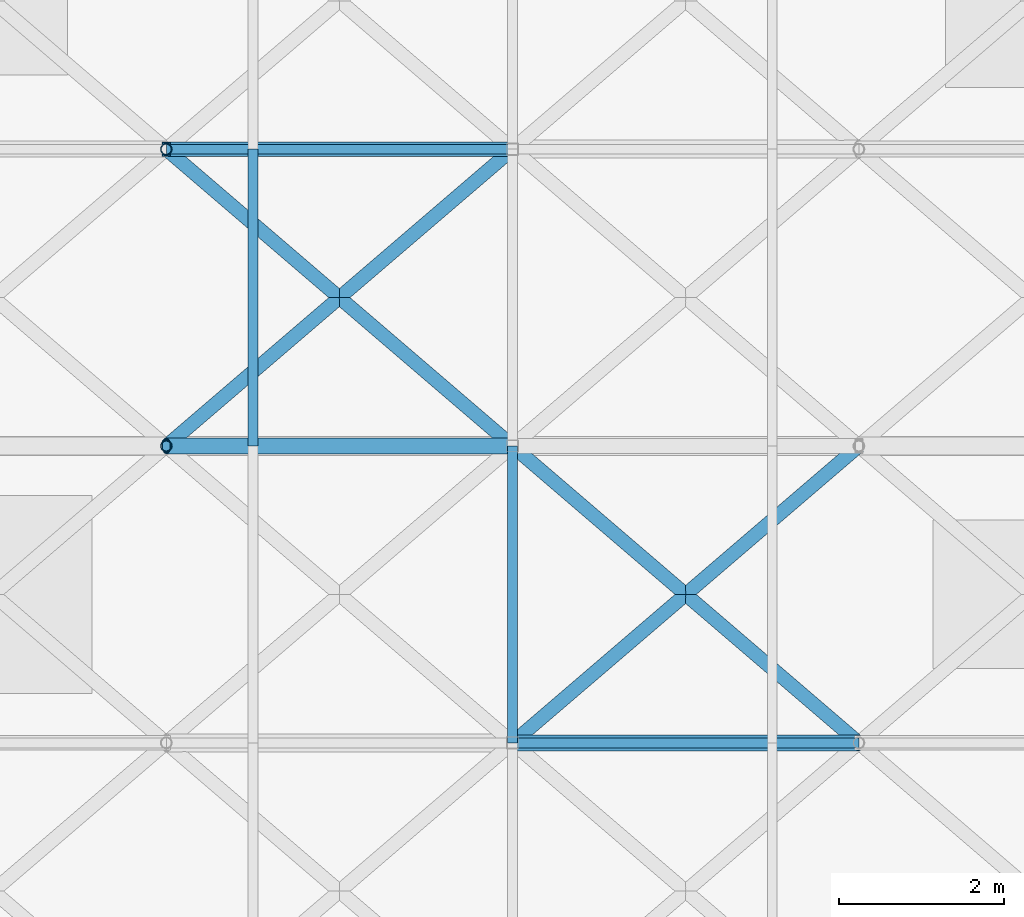
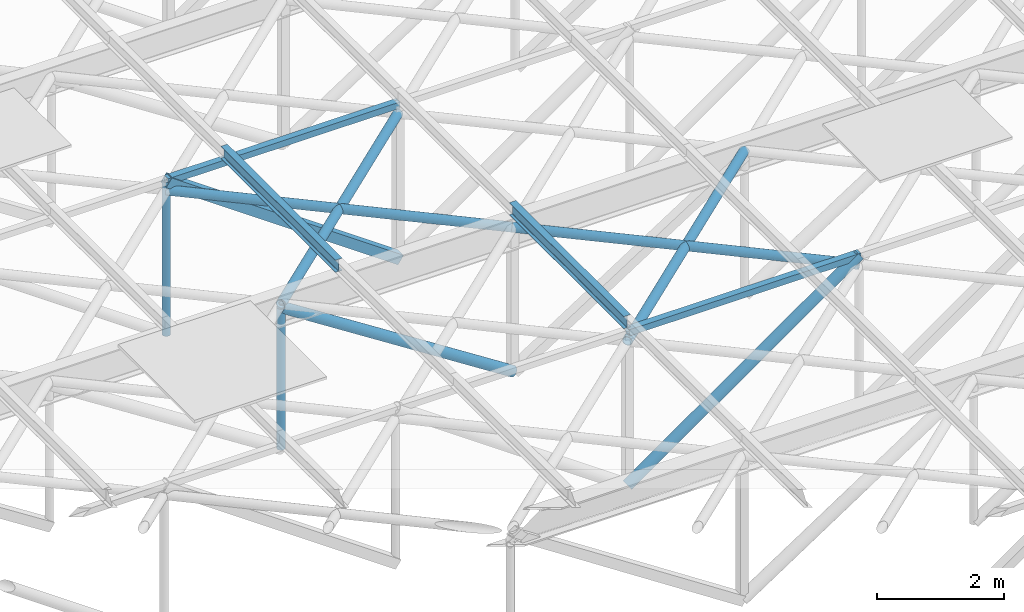
# One storey, part 19 of 45: 13 members.
"""IFC4 building model written with IfcOpenShell, lengths in metres."""

from ifc_helpers import new_model, si_unit, derived_unit, direction, frame, origin, origin_2d, place, context, subcontext, project, spatial, hollow_rectangle, hollow_circle, i_section, extrude, material, material_profile, profile_set, type_object, element, save


model = new_model("IFC4")

# Units and contexts
model_context = context("Model", 3, precision=1e-05, world=origin(), true_north=direction((0.0, 1.0)))
body_context = subcontext(model_context, "Body", "Model", "MODEL_VIEW")
ifc_project = project(units=[si_unit("LENGTHUNIT", "METRE"), si_unit("AREAUNIT", "SQUARE_METRE"), si_unit("VOLUMEUNIT", "CUBIC_METRE"), si_unit("PLANEANGLEUNIT", "RADIAN"), si_unit("MASSUNIT", "GRAM", prefix="KILO"), derived_unit("THERMALTRANSMITTANCEUNIT", [(si_unit("MASSUNIT", "GRAM", prefix="KILO"), 1), (si_unit("TIMEUNIT", "SECOND"), -3), (si_unit("THERMODYNAMICTEMPERATUREUNIT", "KELVIN"), -1)])], contexts=[model_context])

# Site, building, storey
site_placement = place(None, origin())
site = spatial("IfcSite", under=ifc_project, at=site_placement, CompositionType="ELEMENT")
building_placement = place(site_placement, origin())
building = spatial("IfcBuilding", under=site, at=building_placement, Name="Veldstrom Oceanarium and Marine Research Institute", CompositionType="ELEMENT")
storey_placement = place(building_placement, frame((0.0, 0.0, 22.199951171875)))
storey = spatial("IfcBuildingStorey", under=building, at=storey_placement, Name="L04", CompositionType="ELEMENT", Elevation=22.199951171875)

# Members
ifc_material_1 = material(Name="Steel S355JR", Category="steel")
ifc_material_profile_1 = material_profile(ifc_material_1, hollow_circle(Radius=0.096923828125, WallThickness=0.010009765625, at=origin_2d()), Name="CHS 193.7x10")
ifc_profile_set_1 = profile_set([ifc_material_profile_1], Name="Steel S355JR")
member_type_1 = type_object("IfcMemberType", Name="STR-MEM-BR2", PredefinedType="BRACE", material=ifc_profile_set_1)
member_1_placement = place(storey_placement, frame((29.39990234375, 39.60009765625, -1.89990234375), z_axis=(0.81833258052, 0.0, 0.574744976193), x_axis=(0.0, 1.0, 0.0)))
element("IfcMember", 1, at=member_1_placement, inside=storey, type_object=member_type_1, Name="Truss Web Diagonal RT08-4", PredefinedType="BRACE", context=body_context, shape_type="SweptSolid", body=[
    extrude(hollow_circle(Radius=0.096923828125, WallThickness=0.010009765625, at=origin_2d()), origin(), (0.0, 0.0, 1.0), 5.132568359375),
])
member_2_placement = place(storey_placement, frame((25.199951171875, 43.199951171875, 0.801513671875), z_axis=(0.841046607487, 0.0, -0.540962664178), x_axis=(0.0, 1.0, 0.0)))
element("IfcMember", 2, at=member_2_placement, inside=storey, type_object=member_type_1, Name="Truss Web Diagonal RT09-3", PredefinedType="BRACE", context=body_context, shape_type="SweptSolid", body=[
    extrude(hollow_circle(Radius=0.096923828125, WallThickness=0.010009765625, at=origin_2d()), origin(), (0.0, 0.0, 1.0), 4.99365234375),
])
ifc_material_2 = material(Name="Steel S355JR", Category="steel")
ifc_material_profile_2 = material_profile(ifc_material_2, hollow_circle(Radius=0.084228515625, WallThickness=0.008056640625, at=origin_2d()), Name="CHS 168.3x8")
ifc_profile_set_2 = profile_set([ifc_material_profile_2], Name="Steel S355JR")
member_type_2 = type_object("IfcMemberType", Name="STR-MEM-BR3", PredefinedType="BRACE", material=ifc_profile_set_2)
for number, where, z_axis, x_axis, name in (
    (3, (29.39990234375, 39.60009765625, 0.860107421875), (0.759284639853, 0.650758661627, 0.0), (-0.650758661627, 0.759284639853, 0.0), "Roof Plan Wind Brace WB-08-4"),
    (4, (33.60009765625, 39.60009765625, 0.860107421875), (-0.759284639853, 0.650758661627, 0.0), (-0.650758661627, -0.759284639853, 0.0), "Roof Plan Counter Wind Brace WB-08-4B"),
    (5, (25.199951171875, 43.199951171875, 0.860107421875), (0.759244140748, 0.650805911728, 0.0), (-0.650805911728, 0.759244140748, 0.0), "Roof Plan Wind Brace WB-09-3"),
    (6, (29.39990234375, 43.199951171875, 0.860107421875), (-0.759244140748, 0.650805911728, 0.0), (-0.650805911728, -0.759244140748, 0.0), "Roof Plan Counter Wind Brace WB-09-3B"),
):
    element("IfcMember", number, at=place(storey_placement, frame(where, z_axis=z_axis, x_axis=x_axis)), inside=storey, type_object=member_type_2, Name=name, PredefinedType="BRACE", context=body_context, shape_type="SweptSolid", body=[
        extrude(hollow_circle(Radius=0.084228515625, WallThickness=0.008056640625, at=origin_2d()), origin(), (0.0, 0.0, 1.0), 5.53173828125),
    ])
ifc_material_3 = material(Name="Steel S355JR", Category="steel")
ifc_material_profile_3 = material_profile(ifc_material_3, hollow_rectangle(XDim=0.179931640625, YDim=0.179931640625, WallThickness=0.010009765625, at=origin_2d()), Name="SHS 180x180x10")
ifc_profile_set_3 = profile_set([ifc_material_profile_3], Name="Steel S355JR")
member_type_3 = type_object("IfcMemberType", Name="STR-MEM-BR4", PredefinedType="BRACE", material=ifc_profile_set_3)
member_3_placement = place(storey_placement, frame((25.199951171875, 46.800048828125, 1.050048828125), z_axis=(0.818316866904, 0.0, -0.574767348881), x_axis=(0.0, 1.0, 0.0)))
element("IfcMember", 7, at=member_3_placement, inside=storey, type_object=member_type_3, Name="Truss Web Diagonal RT10-3", PredefinedType="BRACE", context=body_context, shape_type="SweptSolid", body=[
    extrude(hollow_rectangle(XDim=0.179931640625, YDim=0.179931640625, WallThickness=0.010009765625, at=origin_2d()), origin(), (0.0, 0.0, 1.0), 5.13232421875),
])
ifc_material_4 = material(Name="Steel S355JR", Category="steel")
ifc_material_profile_4 = material_profile(ifc_material_4, i_section(OverallWidth=0.1201171875, OverallDepth=0.239990234375, WebThickness=0.006103515625, FlangeThickness=0.009765625, FilletRadius=0.014892578125, at=origin_2d()), Name="IPE 240")
ifc_profile_set_4 = profile_set([ifc_material_profile_4], Name="Steel S355JR")
member_type_4 = type_object("IfcMemberType", Name="STR-MEM-PR1", PredefinedType="PURLIN", material=ifc_profile_set_4)
member_4_placement = place(storey_placement, frame((29.39990234375, 39.60009765625, 1.22998046875), z_axis=(0.0, 1.0, 0.0), x_axis=(-1.0, 0.0, 0.0)))
element("IfcMember", 8, at=member_4_placement, inside=storey, type_object=member_type_4, Name="Hall Roof Purlin PR-09-5", PredefinedType="PURLIN", context=body_context, shape_type="SweptSolid", body=[
    extrude(i_section(OverallWidth=0.1201171875, OverallDepth=0.239990234375, WebThickness=0.006103515625, FlangeThickness=0.009765625, FilletRadius=0.014892578125, at=origin_2d()), origin(), (0.0, 0.0, 1.0), 3.599853515625),
])
member_5_placement = place(storey_placement, frame((26.25, 43.199951171875, 1.22998046875), z_axis=(0.0, 1.0, 0.0), x_axis=(-1.0, 0.0, 0.0)))
element("IfcMember", 9, at=member_5_placement, inside=storey, type_object=member_type_4, Name="Hall Roof Purlin PR-10-4", PredefinedType="PURLIN", context=body_context, shape_type="SweptSolid", body=[
    extrude(i_section(OverallWidth=0.1201171875, OverallDepth=0.239990234375, WebThickness=0.006103515625, FlangeThickness=0.009765625, FilletRadius=0.014892578125, at=origin_2d()), origin(), (0.0, 0.0, 1.0), 3.60009765625),
])
ifc_material_5 = material(Name="Steel S355JR", Category="steel")
ifc_material_profile_5 = material_profile(ifc_material_5, hollow_circle(Radius=0.06982421875, WallThickness=0.008056640625, at=origin_2d()), Name="CHS 139.7x8")
ifc_profile_set_5 = profile_set([ifc_material_profile_5], Name="Steel S355JR")
member_type_5 = type_object("IfcMemberType", Name="STR-MEM-PS2", PredefinedType="POST", material=ifc_profile_set_5)
member_6_placement = place(storey_placement, frame((25.199951171875, 43.199951171875, -1.89990234375), z_axis=(0.0, 0.0, 1.0), x_axis=(1.0, 0.0, 0.0)))
element("IfcMember", 10, at=member_6_placement, inside=storey, type_object=member_type_5, Name="Truss Vertical Post RT09-3", PredefinedType="POST", context=body_context, shape_type="SweptSolid", body=[
    extrude(hollow_circle(Radius=0.06982421875, WallThickness=0.008056640625, at=origin_2d()), origin(), (0.0, 0.0, 1.0), 2.701416015625),
])
member_7_placement = place(storey_placement, frame((25.199951171875, 46.800048828125, -1.89990234375), z_axis=(0.0, 0.0, 1.0), x_axis=(1.0, 0.0, 0.0)))
element("IfcMember", 11, at=member_7_placement, inside=storey, type_object=member_type_5, Name="Truss Vertical Post RT10-3", PredefinedType="POST", context=body_context, shape_type="SweptSolid", body=[
    extrude(hollow_circle(Radius=0.06982421875, WallThickness=0.008056640625, at=origin_2d()), origin(), (0.0, 0.0, 1.0), 2.949951171875),
])
ifc_material_6 = material(Name="Steel S355JR", Category="steel")
ifc_material_profile_6 = material_profile(ifc_material_6, hollow_rectangle(XDim=0.1201171875, YDim=0.1201171875, WallThickness=0.008056640625, at=origin_2d()), Name="SHS 120x120x8")
ifc_profile_set_6 = profile_set([ifc_material_profile_6], Name="Steel S355JR")
member_type_6 = type_object("IfcMemberType", Name="STR-MEM-RF1", PredefinedType="RAFTER", material=ifc_profile_set_6)
member_8_placement = place(storey_placement, frame((29.39990234375, 39.60009765625, 1.050048828125), z_axis=(1.0, 0.0, 0.0), x_axis=(0.0, 1.0, 0.0)))
element("IfcMember", 12, at=member_8_placement, inside=storey, type_object=member_type_6, Name="Truss Top Rafter RT08-4", PredefinedType="RAFTER", context=body_context, shape_type="SweptSolid", body=[
    extrude(hollow_rectangle(XDim=0.1201171875, YDim=0.1201171875, WallThickness=0.008056640625, at=origin_2d()), origin(), (0.0, 0.0, 1.0), 4.2001953125),
])
member_9_placement = place(storey_placement, frame((25.199951171875, 46.800048828125, 1.050048828125), z_axis=(1.0, 0.0, 0.0), x_axis=(0.0, 1.0, 0.0)))
element("IfcMember", 13, at=member_9_placement, inside=storey, type_object=member_type_6, Name="Truss Top Rafter RT10-3", PredefinedType="RAFTER", context=body_context, shape_type="SweptSolid", body=[
    extrude(hollow_rectangle(XDim=0.1201171875, YDim=0.1201171875, WallThickness=0.008056640625, at=origin_2d()), origin(), (0.0, 0.0, 1.0), 4.199951171875),
])

save(model, "model.ifc")
